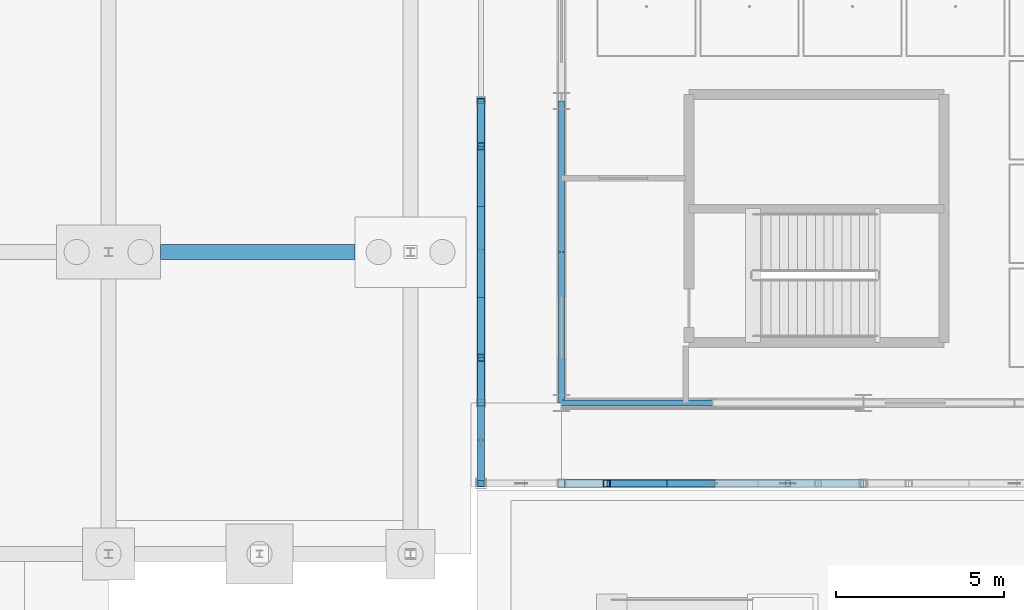
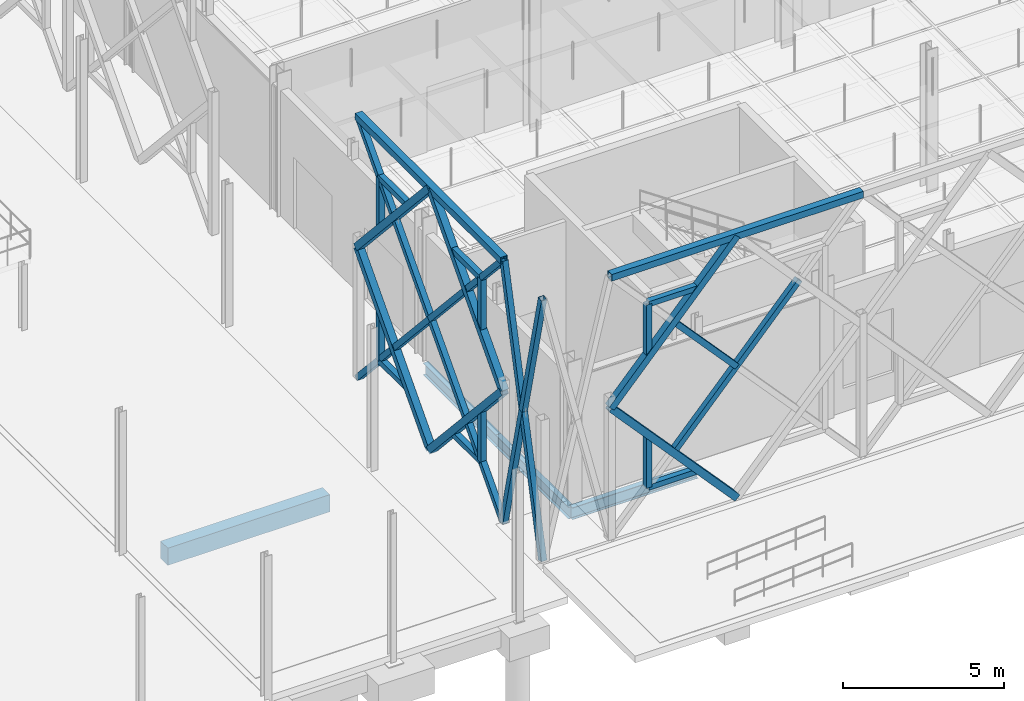
# One storey, part 29 of 180: 32 members, 4 beams.
"""IFC4 building model written with IfcOpenShell, lengths in metres."""

import ifcopenshell
import ifcopenshell.guid

model = None  # the IFC model being written
_history = None  # IfcOwnerHistory: only IFC2X3 demands one
_inside = {}  # id of a spatial element -> (the spatial element, [elements in it])
_under = {}  # id of a project, library or spatial element -> (it, [spatial elements below it])
_declared = {}  # id of a project -> (the project, [libraries it declares])
_typed = {}  # id of a type object -> (the type object, [elements of that type])
_made_of = {}  # id of a material, layer set ... -> (it, [elements and type objects made of it])


def new_model(schema):
    """Start an empty IFC model of exactly this schema.

    Asked for "IFC4X3", IfcOpenShell would pick the latest addendum, in which some entities
    have other attributes; the version numbers below select the first issue.
    IFC2X3 requires an IfcOwnerHistory on every rooted entity: one is made here for all.
    """
    global model, _history
    if schema == "IFC4X3":
        model = ifcopenshell.file(schema_version=(4, 3, 0, 0))
    else:
        model = ifcopenshell.file(schema=schema)
    _inside.clear()
    _under.clear()
    _declared.clear()
    _typed.clear()
    _made_of.clear()
    _history = None
    if model.schema == "IFC2X3":
        org = make("IfcOrganization", Name="unknown")
        user = make(
            "IfcPersonAndOrganization",
            ThePerson=make("IfcPerson", FamilyName="unknown"),
            TheOrganization=org,
        )
        app = make(
            "IfcApplication",
            ApplicationDeveloper=org,
            Version="unknown",
            ApplicationFullName="unknown",
            ApplicationIdentifier="unknown",
        )
        _history = make(
            "IfcOwnerHistory",
            OwningUser=user,
            OwningApplication=app,
            ChangeAction="ADDED",
            CreationDate=0,
        )
    return model


def make(cls, **values):
    """One entity of the class cls with the attributes given. An attribute that is None is left unset."""
    return model.create_entity(
        cls, **{name: value for name, value in values.items() if value is not None}
    )


def rooted(cls, **values):
    """An entity with a GlobalId (a new one), such as an element, a storey or a relation."""
    return make(cls, GlobalId=ifcopenshell.guid.new(), OwnerHistory=_history, **values)


def si_unit(unit_type, name, prefix=None):
    """IfcSIUnit, for example si_unit("LENGTHUNIT", "METRE", prefix="MILLI")."""
    return make("IfcSIUnit", UnitType=unit_type, Prefix=prefix, Name=name)


def assignment(units):
    """IfcUnitAssignment: the units of a project."""
    return None if units is None else make("IfcUnitAssignment", Units=units)


def point(xyz):
    """IfcCartesianPoint."""
    return None if xyz is None else make("IfcCartesianPoint", Coordinates=xyz)


def direction(xyz):
    """IfcDirection."""
    return None if xyz is None else make("IfcDirection", DirectionRatios=xyz)


def frame(location, z_axis=None, x_axis=None):
    """IfcAxis2Placement3D, a coordinate frame: its origin and axes. An axis left out is left unset."""
    return make(
        "IfcAxis2Placement3D",
        Location=point(location),
        Axis=direction(z_axis),
        RefDirection=direction(x_axis),
    )


def frame_2d(location, x_axis=None):
    """IfcAxis2Placement2D, a coordinate frame in the plane: its origin and x axis."""
    return make(
        "IfcAxis2Placement2D", Location=point(location), RefDirection=direction(x_axis)
    )


def origin():
    """The frame at (0, 0, 0) with its axes left unset."""
    return frame((0.0, 0.0, 0.0))


def origin_2d():
    """The frame at (0, 0) in the plane with its x axis left unset."""
    return frame_2d((0.0, 0.0))


def place(relative_to, where):
    """IfcLocalPlacement: puts the frame where relative to a parent placement (None: the world)."""
    return make(
        "IfcLocalPlacement", PlacementRelTo=relative_to, RelativePlacement=where
    )


def context(
    kind, dimensions, precision=None, world=None, true_north=None, identifier=None
):
    """IfcGeometricRepresentationContext, for example the 3D "Model" context."""
    return make(
        "IfcGeometricRepresentationContext",
        ContextIdentifier=identifier,
        ContextType=kind,
        CoordinateSpaceDimension=dimensions,
        Precision=precision,
        WorldCoordinateSystem=world,
        TrueNorth=true_north,
    )


def subcontext(parent, identifier, kind, view, scale=None):
    """IfcGeometricRepresentationSubContext, for example "Body" below "Model"."""
    return make(
        "IfcGeometricRepresentationSubContext",
        ContextIdentifier=identifier,
        ContextType=kind,
        ParentContext=parent,
        TargetScale=scale,
        TargetView=view,
    )


def project(units=None, contexts=None):
    """IfcProject with its units and contexts."""
    return rooted(
        "IfcProject",
        Name="project",
        RepresentationContexts=contexts,
        UnitsInContext=assignment(units),
    )


def spatial(cls, under=None, at=None, **own):
    """A site, building, storey or space (cls), placed at a placement, below another one or the project."""
    s = rooted(cls, ObjectPlacement=at, **own)
    if under is not None:
        _under.setdefault(under.id(), (under, []))[1].append(s)
    return s


def profile(cls, at=None, kind="AREA", **sizes):
    """A parametric profile (cls). Its sizes go by their IFC names, for example OverallWidth=200.0."""
    return make(cls, ProfileType=kind, Position=at, **sizes)


def rectangle(**sizes):
    """IfcRectangleProfileDef."""
    return profile("IfcRectangleProfileDef", **sizes)


def hollow_rectangle(**sizes):
    """IfcRectangleHollowProfileDef."""
    return profile("IfcRectangleHollowProfileDef", **sizes)


def i_section(**sizes):
    """IfcIShapeProfileDef."""
    return profile("IfcIShapeProfileDef", **sizes)


def extrude(swept, where, along, depth):
    """IfcExtrudedAreaSolid: the profile swept, set in the frame where, extruded along a direction by depth."""
    return make(
        "IfcExtrudedAreaSolid",
        SweptArea=swept,
        Position=where,
        ExtrudedDirection=direction(along),
        Depth=depth,
    )


def shape(context_of_items, identifier, shape_type, items):
    """IfcShapeRepresentation: the items that make up one representation, for example the "Body"."""
    return make(
        "IfcShapeRepresentation",
        ContextOfItems=context_of_items,
        RepresentationIdentifier=identifier,
        RepresentationType=shape_type,
        Items=items,
    )


def material(Name=None, Category=None):
    """IfcMaterial."""
    return make("IfcMaterial", Name=Name, Category=Category)


def material_profile(
    of_material, cross_section, Name=None, Category=None, Priority=None
):
    """IfcMaterialProfile: a cross section and its material."""
    return make(
        "IfcMaterialProfile",
        Name=Name,
        Material=of_material,
        Profile=cross_section,
        Priority=Priority,
        Category=Category,
    )


def profile_set(profiles, Name=None, composite=None):
    """IfcMaterialProfileSet."""
    return make(
        "IfcMaterialProfileSet",
        Name=Name,
        MaterialProfiles=profiles,
        CompositeProfile=composite,
    )


def made_of(thing, what):
    """Note that an element or type object is made of a material, layer set ...; save() writes the relation."""
    if what is not None:
        _made_of.setdefault(what.id(), (what, []))[1].append(thing)
    return thing


def type_object(cls, material=None, **own):
    """A type object (cls), such as IfcWallType, which elements share."""
    return made_of(rooted(cls, **own), material)


def element(
    cls,
    number,
    at=None,
    inside=None,
    cuts=None,
    type_object=None,
    material=None,
    context=None,
    identifier="Body",
    shape_type=None,
    held_by="IfcProductDefinitionShape",
    body=None,
    shapes=None,
    **own,
):
    """One element of the class cls, such as IfcWall. Its Tag is "e" and its number.

    at: its placement. inside: the storey or other place that contains it. cuts: it is an
    opening in that element (IfcRelVoidsElement). A single representation is given by context,
    identifier, shape_type and body (its items); several are given by shapes. held_by: the class
    of the entity that holds the representations. save() writes the other relations.
    """
    e = rooted(cls, Tag="e%d" % number, ObjectPlacement=at, **own)
    if body is not None:
        shapes = [shape(context, identifier, shape_type, body)]
    if shapes is not None:
        e.Representation = make(held_by, Representations=shapes)
    if inside is not None:
        _inside.setdefault(inside.id(), (inside, []))[1].append(e)
    if cuts is not None:
        rooted(
            "IfcRelVoidsElement", RelatingBuildingElement=cuts, RelatedOpeningElement=e
        )
    if type_object is not None:
        _typed.setdefault(type_object.id(), (type_object, []))[1].append(e)
    return made_of(e, material)


def aggregate(whole, parts):
    """IfcRelAggregates: a whole, such as a stair, and the parts it consists of."""
    return rooted("IfcRelAggregates", RelatingObject=whole, RelatedObjects=parts)


def save(model, path):
    """Write the relations noted so far, then the file.

    IfcRelAggregates (storeys below a building ...), IfcRelContainedInSpatialStructure (elements
    in a storey), IfcRelDefinesByType, IfcRelAssociatesMaterial and IfcRelDeclares: one each for
    every whole, place, type object, material and project.
    """
    for whole, parts in _under.values():
        aggregate(whole, parts)
    for where, things in _inside.values():
        rooted(
            "IfcRelContainedInSpatialStructure",
            RelatedElements=things,
            RelatingStructure=where,
        )
    for kind, things in _typed.values():
        rooted("IfcRelDefinesByType", RelatedObjects=things, RelatingType=kind)
    for what, things in _made_of.values():
        rooted("IfcRelAssociatesMaterial", RelatedObjects=things, RelatingMaterial=what)
    for by, libraries in _declared.values():
        rooted("IfcRelDeclares", RelatingContext=by, RelatedDefinitions=libraries)
    model.write(path)


model = new_model("IFC4")

# Units and contexts
model_context = context("Model", 3, precision=1e-05, world=origin(), true_north=direction((0.0, 1.0)))
body_context = subcontext(model_context, "Body", "Model", "MODEL_VIEW")
ifc_project = project(units=[si_unit("LENGTHUNIT", "METRE"), si_unit("AREAUNIT", "SQUARE_METRE"), si_unit("VOLUMEUNIT", "CUBIC_METRE"), si_unit("PLANEANGLEUNIT", "RADIAN"), si_unit("MASSUNIT", "GRAM", prefix="KILO"), si_unit("THERMODYNAMICTEMPERATUREUNIT", "KELVIN"), si_unit("POWERUNIT", "WATT")], contexts=[model_context])

# Site, building, storey
site_placement = place(None, origin())
site = spatial("IfcSite", under=ifc_project, at=site_placement, CompositionType="ELEMENT")
building_placement = place(site_placement, origin())
building = spatial("IfcBuilding", under=site, at=building_placement, Name="Tallowbark Science Centre", CompositionType="ELEMENT")
storey_placement = place(building_placement, origin())
storey = spatial("IfcBuildingStorey", under=building, at=storey_placement, Name="L00", CompositionType="ELEMENT", Elevation=0.0)

# Beam
ifc_material_1 = material(Name="Concrete Grade N40 (40 MPa)", Category="concrete")
ifc_material_profile_1 = material_profile(ifc_material_1, rectangle(XDim=0.449951171875, YDim=0.64990234375, at=origin_2d()), Name="RC450x650")
ifc_profile_set_1 = profile_set([ifc_material_profile_1], Name="Concrete Grade N40 (40 MPa)")
beam_type_1 = type_object("IfcBeamType", Name="BM-GB2-N40", PredefinedType="BEAM", material=ifc_profile_set_1)
beam_placement = place(storey_placement, frame((46.550048828125, 9.0, -0.5849609375), z_axis=(1.0, 0.0, 0.0), x_axis=(0.0, 1.0, 0.0)))
element("IfcBeam", 1, at=beam_placement, inside=storey, type_object=beam_type_1, Name="Ground Tie Beam GBT-X-243", PredefinedType="BEAM", context=body_context, shape_type="SweptSolid", body=[
    extrude(rectangle(XDim=0.449951171875, YDim=0.64990234375, at=origin_2d()), origin(), (0.0, 0.0, 1.0), 5.800048828125),
])

# Members
ifc_material_2 = material(Name="White Architectural Painted Steel Grade C350L0 (350 MPa)", Category="steel")
ifc_material_profile_2 = material_profile(ifc_material_2, hollow_rectangle(XDim=0.25, YDim=0.25, WallThickness=0.009033203125, at=origin_2d()), Name="250x250x9.0SHS")
ifc_profile_set_2 = profile_set([ifc_material_profile_2], Name="White Architectural Painted Steel Grade C350L0 (350 MPa)")
member_type_1 = type_object("IfcMemberType", Name="SCR-CHD200", PredefinedType="CHORD", material=ifc_profile_set_2)
member_1_placement = place(storey_placement, frame((58.5, 2.10009765625, 9.89990234375), z_axis=(1.0, 0.0, 0.0), x_axis=(0.0, 1.0, 0.0)))
element("IfcMember", 2, at=member_1_placement, inside=storey, type_object=member_type_1, Name="Star Screen Frame Chord S-1", PredefinedType="CHORD", context=body_context, shape_type="SweptSolid", body=[
    extrude(hollow_rectangle(XDim=0.25, YDim=0.25, WallThickness=0.009033203125, at=origin_2d()), origin(), (0.0, 0.0, 1.0), 9.0),
])
for number, where, z_axis, x_axis, name in (
    (3, (63.0, 2.10009765625, 9.89990234375), (-0.672676426978, 0.0, -0.739936770669), (0.0, -1.0, 0.0), "Star Screen Octagram Diamond Chord S-1-3"),
    (4, (58.5, 2.10009765625, 4.949951171875), (0.672676426978, 0.0, -0.739936770669), (0.0, 1.0, 0.0), "Star Screen Octagram Diamond Chord S-1-4"),
):
    element("IfcMember", number, at=place(storey_placement, frame(where, z_axis=z_axis, x_axis=x_axis)), inside=storey, type_object=member_type_1, Name=name, PredefinedType="CHORD", context=body_context, shape_type="SweptSolid", body=[
        extrude(hollow_rectangle(XDim=0.25, YDim=0.25, WallThickness=0.009033203125, at=origin_2d()), origin(), (0.0, 0.0, 1.0), 6.689697265625),
    ])
member_2_placement = place(storey_placement, frame((56.10009765625, 4.5, 9.89990234375), z_axis=(0.0, 1.0, 0.0), x_axis=(-1.0, 0.0, 0.0)))
element("IfcMember", 5, at=member_2_placement, inside=storey, type_object=member_type_1, Name="Star Screen Frame Chord W-10", PredefinedType="CHORD", context=body_context, shape_type="SweptSolid", body=[
    extrude(hollow_rectangle(XDim=0.25, YDim=0.25, WallThickness=0.009033203125, at=origin_2d()), origin(), (0.0, 0.0, 1.0), 9.0),
])
for number, where, z_axis, x_axis, name in (
    (6, (56.10009765625, 9.0, 0.0), (0.0, 0.672676426978, 0.739936770669), (-1.0, 0.0, 0.0), "Star Screen Octagram Diamond Chord W-10-1"),
    (7, (56.10009765625, 13.5, 4.949951171875), (0.0, -0.672676426978, 0.739936770669), (1.0, 0.0, 0.0), "Star Screen Octagram Diamond Chord W-10-2"),
    (8, (56.10009765625, 9.0, 9.89990234375), (0.0, -0.672676426978, -0.739936770669), (1.0, 0.0, 0.0), "Star Screen Octagram Diamond Chord W-10-3"),
    (9, (56.10009765625, 4.5, 4.949951171875), (0.0, 0.672676426978, -0.739936770669), (-1.0, 0.0, 0.0), "Star Screen Octagram Diamond Chord W-10-4"),
):
    element("IfcMember", number, at=place(storey_placement, frame(where, z_axis=z_axis, x_axis=x_axis)), inside=storey, type_object=member_type_1, Name=name, PredefinedType="CHORD", context=body_context, shape_type="SweptSolid", body=[
        extrude(hollow_rectangle(XDim=0.25, YDim=0.25, WallThickness=0.009033203125, at=origin_2d()), origin(), (0.0, 0.0, 1.0), 6.689697265625),
    ])
ifc_material_profile_3 = material_profile(ifc_material_2, hollow_rectangle(XDim=0.199951171875, YDim=0.199951171875, WallThickness=0.009033203125, at=origin_2d()), Name="200x200x9.0SHS")
ifc_profile_set_3 = profile_set([ifc_material_profile_3], Name="White Architectural Painted Steel Grade C350L0 (350 MPa)")
member_type_2 = type_object("IfcMemberType", Name="SCR-STAR139", PredefinedType="BRACE", material=ifc_profile_set_3)
member_3_placement = place(storey_placement, frame((60.75, 2.10009765625, 2.47509765625), z_axis=(0.672676426978, 0.0, 0.739936770669), x_axis=(0.0, 1.0, 0.0)))
element("IfcMember", 10, at=member_3_placement, inside=storey, type_object=member_type_2, Name="Star Screen Continuous X-Diagonal D1M S-1", PredefinedType="BRACE", context=body_context, shape_type="SweptSolid", body=[
    extrude(hollow_rectangle(XDim=0.199951171875, YDim=0.199951171875, WallThickness=0.009033203125, at=origin_2d()), origin(), (0.0, 0.0, 1.0), 6.689697265625),
])
for number, where, z_axis, x_axis, name in (
    (11, (60.75, 2.10009765625, 7.425048828125), (0.672658262301, 0.0, -0.739953283768), (0.0, 1.0, 0.0), "Star Screen Split X-Diagonal D2B S-1"),
    (12, (56.10009765625, 4.5, 0.0), (0.0, 0.672658262301, 0.739953283768), (-1.0, 0.0, 0.0), "Star Screen Continuous X-Diagonal D1A W-10"),
):
    element("IfcMember", number, at=place(storey_placement, frame(where, z_axis=z_axis, x_axis=x_axis)), inside=storey, type_object=member_type_2, Name=name, PredefinedType="BRACE", context=body_context, shape_type="SweptSolid", body=[
        extrude(hollow_rectangle(XDim=0.199951171875, YDim=0.199951171875, WallThickness=0.009033203125, at=origin_2d()), origin(), (0.0, 0.0, 1.0), 3.344970703125),
    ])
member_4_placement = place(storey_placement, frame((56.10009765625, 6.75, 2.47509765625), z_axis=(0.0, 0.672676426978, 0.739936770669), x_axis=(-1.0, 0.0, 0.0)))
element("IfcMember", 13, at=member_4_placement, inside=storey, type_object=member_type_2, Name="Star Screen Continuous X-Diagonal D1M W-10", PredefinedType="BRACE", context=body_context, shape_type="SweptSolid", body=[
    extrude(hollow_rectangle(XDim=0.199951171875, YDim=0.199951171875, WallThickness=0.009033203125, at=origin_2d()), origin(), (0.0, 0.0, 1.0), 6.689697265625),
])
for number, where, z_axis, x_axis, name in (
    (14, (56.10009765625, 11.25, 7.425048828125), (0.0, 0.672694592231, 0.739920256233), (-1.0, 0.0, 0.0), "Star Screen Continuous X-Diagonal D1B W-10"),
    (15, (56.10009765625, 4.5, 9.89990234375), (0.0, 0.672694592231, -0.739920256233), (-1.0, 0.0, 0.0), "Star Screen Split X-Diagonal D2A W-10"),
):
    element("IfcMember", number, at=place(storey_placement, frame(where, z_axis=z_axis, x_axis=x_axis)), inside=storey, type_object=member_type_2, Name=name, PredefinedType="BRACE", context=body_context, shape_type="SweptSolid", body=[
        extrude(hollow_rectangle(XDim=0.199951171875, YDim=0.199951171875, WallThickness=0.009033203125, at=origin_2d()), origin(), (0.0, 0.0, 1.0), 3.3447265625),
    ])
member_5_placement = place(storey_placement, frame((56.10009765625, 6.75, 7.425048828125), z_axis=(0.0, 0.672658262301, -0.739953283768), x_axis=(-1.0, 0.0, 0.0)))
element("IfcMember", 16, at=member_5_placement, inside=storey, type_object=member_type_2, Name="Star Screen Split X-Diagonal D2B W-10", PredefinedType="BRACE", context=body_context, shape_type="SweptSolid", body=[
    extrude(hollow_rectangle(XDim=0.199951171875, YDim=0.199951171875, WallThickness=0.009033203125, at=origin_2d()), origin(), (0.0, 0.0, 1.0), 3.344970703125),
])
member_6_placement = place(storey_placement, frame((56.10009765625, 9.0, 4.949951171875), z_axis=(0.0, 0.672694592231, -0.739920256233), x_axis=(-1.0, 0.0, 0.0)))
element("IfcMember", 17, at=member_6_placement, inside=storey, type_object=member_type_2, Name="Star Screen Split X-Diagonal D2C W-10", PredefinedType="BRACE", context=body_context, shape_type="SweptSolid", body=[
    extrude(hollow_rectangle(XDim=0.199951171875, YDim=0.199951171875, WallThickness=0.009033203125, at=origin_2d()), origin(), (0.0, 0.0, 1.0), 3.3447265625),
])
member_7_placement = place(storey_placement, frame((56.10009765625, 11.25, 2.47509765625), z_axis=(0.0, 0.672658262301, -0.739953283768), x_axis=(-1.0, 0.0, 0.0)))
element("IfcMember", 18, at=member_7_placement, inside=storey, type_object=member_type_2, Name="Star Screen Split X-Diagonal D2D W-10", PredefinedType="BRACE", context=body_context, shape_type="SweptSolid", body=[
    extrude(hollow_rectangle(XDim=0.199951171875, YDim=0.199951171875, WallThickness=0.009033203125, at=origin_2d()), origin(), (0.0, 0.0, 1.0), 3.344970703125),
])
member_8_placement = place(storey_placement, frame((56.10009765625, 2.10009765625, 0.0), z_axis=(0.0, 0.235593166094, 0.971851768579), x_axis=(-1.0, 0.0, 0.0)))
element("IfcMember", 19, at=member_8_placement, inside=storey, type_object=member_type_2, Name="Star Screen Corner Continuous Diagonal SWY-L00", PredefinedType="BRACE", context=body_context, shape_type="SweptSolid", body=[
    extrude(hollow_rectangle(XDim=0.199951171875, YDim=0.199951171875, WallThickness=0.009033203125, at=origin_2d()), origin(), (0.0, 0.0, 1.0), 10.1865234375),
])
for number, where, z_axis, x_axis, name in (
    (20, (56.10009765625, 4.5, 0.0), (0.0, -0.235593166094, 0.971851768579), (1.0, 0.0, 0.0), "Star Screen Corner Split Diagonal A SWY-L00"),
    (21, (56.10009765625, 3.300048828125, 4.949951171875), (0.0, -0.235593166094, 0.971851768579), (1.0, 0.0, 0.0), "Star Screen Corner Split Diagonal B SWY-L00"),
):
    element("IfcMember", number, at=place(storey_placement, frame(where, z_axis=z_axis, x_axis=x_axis)), inside=storey, type_object=member_type_2, Name=name, PredefinedType="BRACE", context=body_context, shape_type="SweptSolid", body=[
        extrude(hollow_rectangle(XDim=0.199951171875, YDim=0.199951171875, WallThickness=0.009033203125, at=origin_2d()), origin(), (0.0, 0.0, 1.0), 5.09326171875),
    ])
ifc_material_profile_4 = material_profile(ifc_material_2, hollow_rectangle(XDim=0.199951171875, YDim=0.199951171875, WallThickness=0.009033203125, at=origin_2d()), Name="200x200x9.0SHS")
ifc_profile_set_4 = profile_set([ifc_material_profile_4], Name="White Architectural Painted Steel Grade C350L0 (350 MPa)")
member_type_3 = type_object("IfcMemberType", Name="SCR-SUB150", PredefinedType="BRACE", material=ifc_profile_set_4)
member_9_placement = place(storey_placement, frame((59.85009765625, 2.10009765625, 1.485107421875), z_axis=(1.0, 0.0, 0.0), x_axis=(0.0, 1.0, 0.0)))
element("IfcMember", 22, at=member_9_placement, inside=storey, type_object=member_type_3, Name="Star Screen Octagram Point Ray S-1-1", PredefinedType="BRACE", context=body_context, shape_type="SweptSolid", body=[
    extrude(hollow_rectangle(XDim=0.199951171875, YDim=0.199951171875, WallThickness=0.009033203125, at=origin_2d()), origin(), (0.0, 0.0, 1.0), 1.7998046875),
])
member_10_placement = place(storey_placement, frame((59.85009765625, 2.10009765625, 1.485107421875), z_axis=(0.0, 0.0, 1.0), x_axis=(1.0, 0.0, 0.0)))
element("IfcMember", 23, at=member_10_placement, inside=storey, type_object=member_type_3, Name="Star Screen Octagram Point Ray S-1-2", PredefinedType="BRACE", context=body_context, shape_type="SweptSolid", body=[
    extrude(hollow_rectangle(XDim=0.199951171875, YDim=0.199951171875, WallThickness=0.009033203125, at=origin_2d()), origin(), (0.0, 0.0, 1.0), 1.97998046875),
])
member_11_placement = place(storey_placement, frame((59.85009765625, 2.10009765625, 8.4150390625), z_axis=(1.0, 0.0, 0.0), x_axis=(0.0, 1.0, 0.0)))
element("IfcMember", 24, at=member_11_placement, inside=storey, type_object=member_type_3, Name="Star Screen Octagram Point Ray S-1-7", PredefinedType="BRACE", context=body_context, shape_type="SweptSolid", body=[
    extrude(hollow_rectangle(XDim=0.199951171875, YDim=0.199951171875, WallThickness=0.009033203125, at=origin_2d()), origin(), (0.0, 0.0, 1.0), 1.7998046875),
])
member_12_placement = place(storey_placement, frame((59.85009765625, 2.10009765625, 8.4150390625), z_axis=(0.0, 0.0, -1.0), x_axis=(1.0, 0.0, 0.0)))
element("IfcMember", 25, at=member_12_placement, inside=storey, type_object=member_type_3, Name="Star Screen Octagram Point Ray S-1-8", PredefinedType="BRACE", context=body_context, shape_type="SweptSolid", body=[
    extrude(hollow_rectangle(XDim=0.199951171875, YDim=0.199951171875, WallThickness=0.009033203125, at=origin_2d()), origin(), (0.0, 0.0, 1.0), 1.97998046875),
])
member_13_placement = place(storey_placement, frame((56.10009765625, 5.85009765625, 1.485107421875), z_axis=(0.0, 1.0, 0.0), x_axis=(-1.0, 0.0, 0.0)))
element("IfcMember", 26, at=member_13_placement, inside=storey, type_object=member_type_3, Name="Star Screen Octagram Point Ray W-10-1", PredefinedType="BRACE", context=body_context, shape_type="SweptSolid", body=[
    extrude(hollow_rectangle(XDim=0.199951171875, YDim=0.199951171875, WallThickness=0.009033203125, at=origin_2d()), origin(), (0.0, 0.0, 1.0), 1.7998046875),
])
member_14_placement = place(storey_placement, frame((56.10009765625, 5.85009765625, 1.485107421875), z_axis=(0.0, 0.0, 1.0), x_axis=(1.0, 0.0, 0.0)))
element("IfcMember", 27, at=member_14_placement, inside=storey, type_object=member_type_3, Name="Star Screen Octagram Point Ray W-10-2", PredefinedType="BRACE", context=body_context, shape_type="SweptSolid", body=[
    extrude(hollow_rectangle(XDim=0.199951171875, YDim=0.199951171875, WallThickness=0.009033203125, at=origin_2d()), origin(), (0.0, 0.0, 1.0), 1.97998046875),
])
member_15_placement = place(storey_placement, frame((56.10009765625, 12.14990234375, 1.485107421875), z_axis=(0.0, -1.0, 0.0), x_axis=(1.0, 0.0, 0.0)))
element("IfcMember", 28, at=member_15_placement, inside=storey, type_object=member_type_3, Name="Star Screen Octagram Point Ray W-10-3", PredefinedType="BRACE", context=body_context, shape_type="SweptSolid", body=[
    extrude(hollow_rectangle(XDim=0.199951171875, YDim=0.199951171875, WallThickness=0.009033203125, at=origin_2d()), origin(), (0.0, 0.0, 1.0), 1.7998046875),
])
member_16_placement = place(storey_placement, frame((56.10009765625, 12.14990234375, 1.485107421875), z_axis=(0.0, 0.0, 1.0), x_axis=(1.0, 0.0, 0.0)))
element("IfcMember", 29, at=member_16_placement, inside=storey, type_object=member_type_3, Name="Star Screen Octagram Point Ray W-10-4", PredefinedType="BRACE", context=body_context, shape_type="SweptSolid", body=[
    extrude(hollow_rectangle(XDim=0.199951171875, YDim=0.199951171875, WallThickness=0.009033203125, at=origin_2d()), origin(), (0.0, 0.0, 1.0), 1.97998046875),
])
member_17_placement = place(storey_placement, frame((56.10009765625, 12.14990234375, 8.4150390625), z_axis=(0.0, -1.0, 0.0), x_axis=(1.0, 0.0, 0.0)))
element("IfcMember", 30, at=member_17_placement, inside=storey, type_object=member_type_3, Name="Star Screen Octagram Point Ray W-10-5", PredefinedType="BRACE", context=body_context, shape_type="SweptSolid", body=[
    extrude(hollow_rectangle(XDim=0.199951171875, YDim=0.199951171875, WallThickness=0.009033203125, at=origin_2d()), origin(), (0.0, 0.0, 1.0), 1.7998046875),
])
member_18_placement = place(storey_placement, frame((56.10009765625, 12.14990234375, 8.4150390625), z_axis=(0.0, 0.0, -1.0), x_axis=(1.0, 0.0, 0.0)))
element("IfcMember", 31, at=member_18_placement, inside=storey, type_object=member_type_3, Name="Star Screen Octagram Point Ray W-10-6", PredefinedType="BRACE", context=body_context, shape_type="SweptSolid", body=[
    extrude(hollow_rectangle(XDim=0.199951171875, YDim=0.199951171875, WallThickness=0.009033203125, at=origin_2d()), origin(), (0.0, 0.0, 1.0), 1.97998046875),
])
member_19_placement = place(storey_placement, frame((56.10009765625, 5.85009765625, 8.4150390625), z_axis=(0.0, 1.0, 0.0), x_axis=(-1.0, 0.0, 0.0)))
element("IfcMember", 32, at=member_19_placement, inside=storey, type_object=member_type_3, Name="Star Screen Octagram Point Ray W-10-7", PredefinedType="BRACE", context=body_context, shape_type="SweptSolid", body=[
    extrude(hollow_rectangle(XDim=0.199951171875, YDim=0.199951171875, WallThickness=0.009033203125, at=origin_2d()), origin(), (0.0, 0.0, 1.0), 1.7998046875),
])
member_20_placement = place(storey_placement, frame((56.10009765625, 5.85009765625, 8.4150390625), z_axis=(0.0, 0.0, -1.0), x_axis=(1.0, 0.0, 0.0)))
element("IfcMember", 33, at=member_20_placement, inside=storey, type_object=member_type_3, Name="Star Screen Octagram Point Ray W-10-8", PredefinedType="BRACE", context=body_context, shape_type="SweptSolid", body=[
    extrude(hollow_rectangle(XDim=0.199951171875, YDim=0.199951171875, WallThickness=0.009033203125, at=origin_2d()), origin(), (0.0, 0.0, 1.0), 1.97998046875),
])

# Beams
ifc_material_3 = material(Name="Structural Steel Grade 300PLUS (300 MPa)", Category="steel")
ifc_material_profile_5 = material_profile(ifc_material_3, i_section(OverallWidth=0.18994140625, OverallDepth=0.453857421875, WebThickness=0.008544921875, FlangeThickness=0.0126953125, FilletRadius=0.011474609375, at=origin_2d()), Name="460UB67.1")
ifc_profile_set_5 = profile_set([ifc_material_profile_5], Name="Structural Steel Grade 300PLUS (300 MPa)")
beam_type_2 = type_object("IfcBeamType", Name="SPN-UB460", PredefinedType="SPANDREL", material=ifc_profile_set_5)
for number, where, z_axis, x_axis, name in (
    (34, (58.5, 4.5, -0.491943359375), (1.0, 0.0, 0.0), (0.0, 1.0, 0.0), "Primary Girder GRDX-L00-585-630-45"),
    (35, (58.5, 4.5, -0.491943359375), (0.0, 1.0, 0.0), (-1.0, 0.0, 0.0), "Primary Girder GRDY-L00-585-45-90"),
    (36, (58.5, 9.0, -0.491943359375), (0.0, 1.0, 0.0), (-1.0, 0.0, 0.0), "Primary Girder GRDY-L00-585-90-135"),
):
    element("IfcBeam", number, at=place(storey_placement, frame(where, z_axis=z_axis, x_axis=x_axis)), inside=storey, type_object=beam_type_2, Name=name, PredefinedType="SPANDREL", context=body_context, shape_type="SweptSolid", body=[
        extrude(i_section(OverallWidth=0.18994140625, OverallDepth=0.453857421875, WebThickness=0.008544921875, FlangeThickness=0.0126953125, FilletRadius=0.011474609375, at=origin_2d()), origin(), (0.0, 0.0, 1.0), 4.5),
    ])

save(model, "model.ifc")
